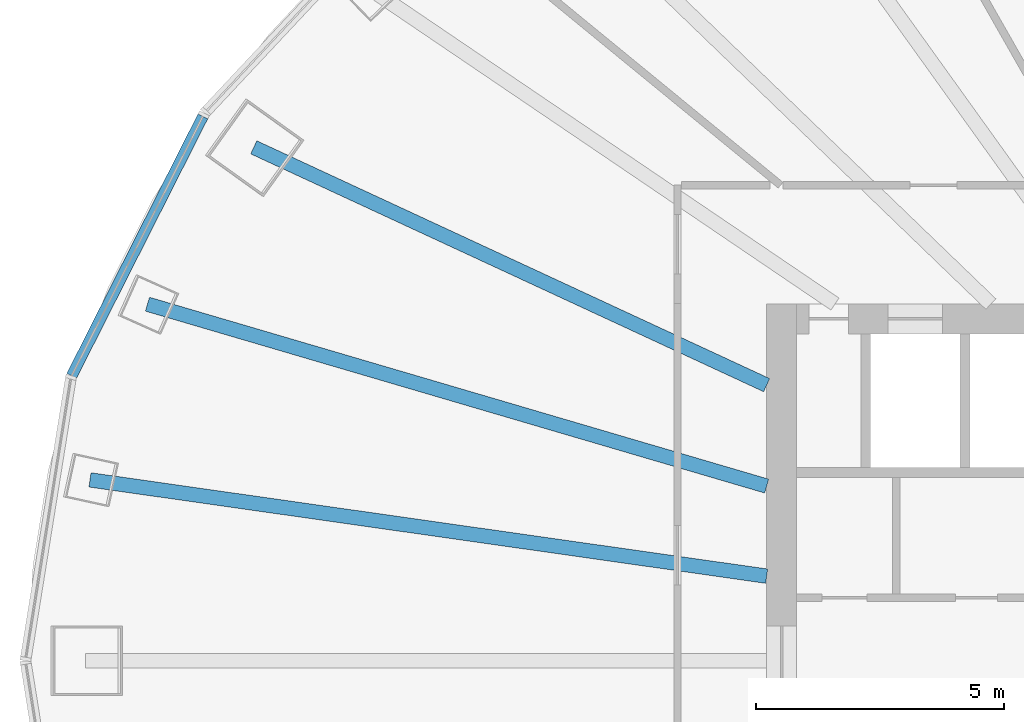
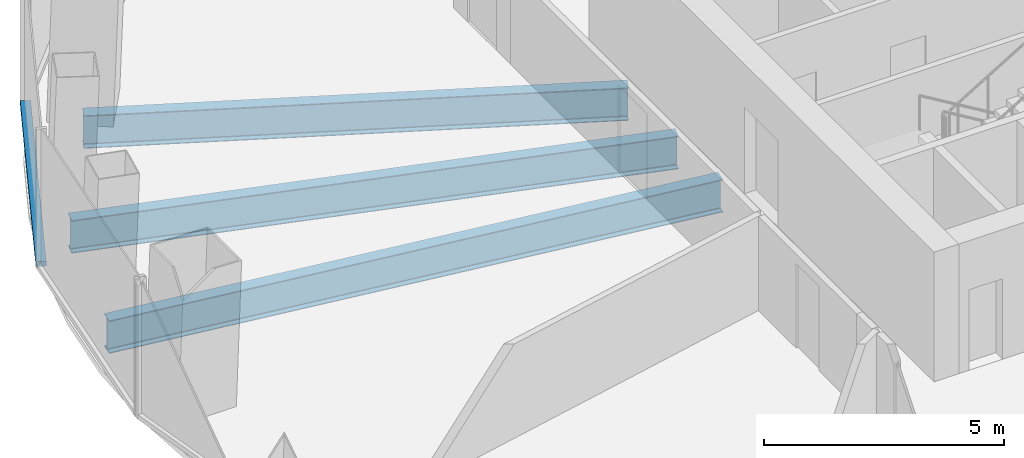
# One storey, part 3 of 11: 3 beams, 1 member, 1 element without a shape of its own.
"""IFC4 building model written with IfcOpenShell, lengths in metres."""

from ifc_helpers import new_model, si_unit, direction, frame, origin, origin_2d, place, context, subcontext, project, spatial, rectangle, i_section, extrude, material, layer, layer_set, material_profile, profile_set, type_object, element, aggregate, save


model = new_model("IFC4")

# Units and contexts
model_context = context("Model", 3, precision=1e-05, world=origin(), true_north=direction((0.0, 1.0)))
body_context = subcontext(model_context, "Body", "Model", "MODEL_VIEW")
ifc_project = project(units=[si_unit("LENGTHUNIT", "METRE"), si_unit("AREAUNIT", "SQUARE_METRE"), si_unit("VOLUMEUNIT", "CUBIC_METRE"), si_unit("PLANEANGLEUNIT", "RADIAN"), si_unit("MASSUNIT", "GRAM", prefix="KILO")], contexts=[model_context])

# Site, building, storey
site_placement = place(None, origin())
site = spatial("IfcSite", under=ifc_project, at=site_placement, CompositionType="ELEMENT")
building_placement = place(site_placement, origin())
building = spatial("IfcBuilding", under=site, at=building_placement, Name="Siaravel Broadcast Tower", CompositionType="ELEMENT")
storey_placement = place(building_placement, frame((0.0, 0.0, 77.800048828125)))
storey = spatial("IfcBuildingStorey", under=building, at=storey_placement, Name="L18", CompositionType="ELEMENT", Elevation=77.800048828125)

# Beams
ifc_material_1 = material(Name="Steel S355", Category="steel")
ifc_material_profile_1 = material_profile(ifc_material_1, i_section(OverallWidth=0.291748046875, OverallDepth=0.8349609375, WebThickness=0.013916015625, FlangeThickness=0.018798828125, FilletRadius=0.017822265625, at=origin_2d()))
ifc_profile_set_1 = profile_set([ifc_material_profile_1], Name="Steel S355")
beam_type = type_object("IfcBeamType", Name="BM-UB 838x292x176", PredefinedType="BEAM", material=ifc_profile_set_1)
beam_1_placement = place(storey_placement, frame((-22.353271484375, 10.36279296875, -0.567626953125), z_axis=(0.907245503, -0.420601471, 0.0), x_axis=(0.420601471, 0.907245503, 0.0)))
element("IfcBeam", 1, at=beam_1_placement, inside=storey, type_object=beam_type, Name="Radial beam RB16", PredefinedType="BEAM", context=body_context, shape_type="SweptSolid", body=[
    extrude(i_section(OverallWidth=0.291748046875, OverallDepth=0.8349609375, WebThickness=0.013916015625, FlangeThickness=0.018798828125, FilletRadius=0.017822265625, at=origin_2d()), origin(), (0.0, 0.0, 1.0), 11.411865234375),
])
beam_2_placement = place(storey_placement, frame((-24.499267578125, 7.197021484375, -0.567626953125), z_axis=(0.959456468, -0.281856853, 0.0), x_axis=(0.281856853, 0.959456468, 0.0)))
element("IfcBeam", 2, at=beam_2_placement, inside=storey, type_object=beam_type, Name="Radial beam RB17", PredefinedType="BEAM", context=body_context, shape_type="SweptSolid", body=[
    extrude(i_section(OverallWidth=0.291748046875, OverallDepth=0.8349609375, WebThickness=0.013916015625, FlangeThickness=0.018798828125, FilletRadius=0.017822265625, at=origin_2d()), origin(), (0.0, 0.0, 1.0), 13.02734375),
])
beam_3_placement = place(storey_placement, frame((-25.65966796875, 3.650634765625, -0.567626953125), z_axis=(0.990030726, -0.140851556, 0.0), x_axis=(0.140851556, 0.990030726, 0.0)))
element("IfcBeam", 3, at=beam_3_placement, inside=storey, type_object=beam_type, Name="Radial beam RB18", PredefinedType="BEAM", context=body_context, shape_type="SweptSolid", body=[
    extrude(i_section(OverallWidth=0.291748046875, OverallDepth=0.8349609375, WebThickness=0.013916015625, FlangeThickness=0.018798828125, FilletRadius=0.017822265625, at=origin_2d()), origin(), (0.0, 0.0, 1.0), 13.797119140625),
])

# Curtain wall, member
ifc_material_2 = material(Name="Aluminium 6063-T6", Category="aluminium")
ifc_layer = layer(ifc_material_2, 0.219970703125)
ifc_layer_set = layer_set([ifc_layer], Name="Aluminium 6063-T6")
curtain_wall_type = type_object("IfcCurtainWallType", Name="Unitised curtain wall, zone 1", PredefinedType="NOTDEFINED", material=ifc_layer_set)
curtain_wall_placement = place(storey_placement, origin())
curtain_wall = element("IfcCurtainWall", 4, at=curtain_wall_placement, inside=storey, type_object=curtain_wall_type, Name="L18 Unitised curtain wall, zone 1 06", PredefinedType="NOTDEFINED")
ifc_material_profile_2 = material_profile(ifc_material_2, rectangle(XDim=0.219970703125, YDim=0.1201171875, at=origin_2d()))
ifc_profile_set_2 = profile_set([ifc_material_profile_2], Name="Aluminium 6063-T6")
member_type = type_object("IfcMemberType", Name="CW-Z1 transom", PredefinedType="USERDEFINED", material=ifc_profile_set_2)
member_placement = place(storey_placement, frame((-23.38037109375, 10.989013671875, 0.06005859375), z_axis=(-0.451253077, -0.892396022, 0.0), x_axis=(0.892396022, -0.451253077, 0.0)))
member = element("IfcMember", 5, at=member_placement, type_object=member_type, Name="CW-Z1 transom 1", ObjectType="TRANSOM", PredefinedType="USERDEFINED", context=body_context, shape_type="SweptSolid", body=[
    extrude(rectangle(XDim=0.219970703125, YDim=0.1201171875, at=origin_2d()), origin(), (0.0, 0.0, 1.0), 5.867919921875),
])
aggregate(curtain_wall, [member])

save(model, "model.ifc")
